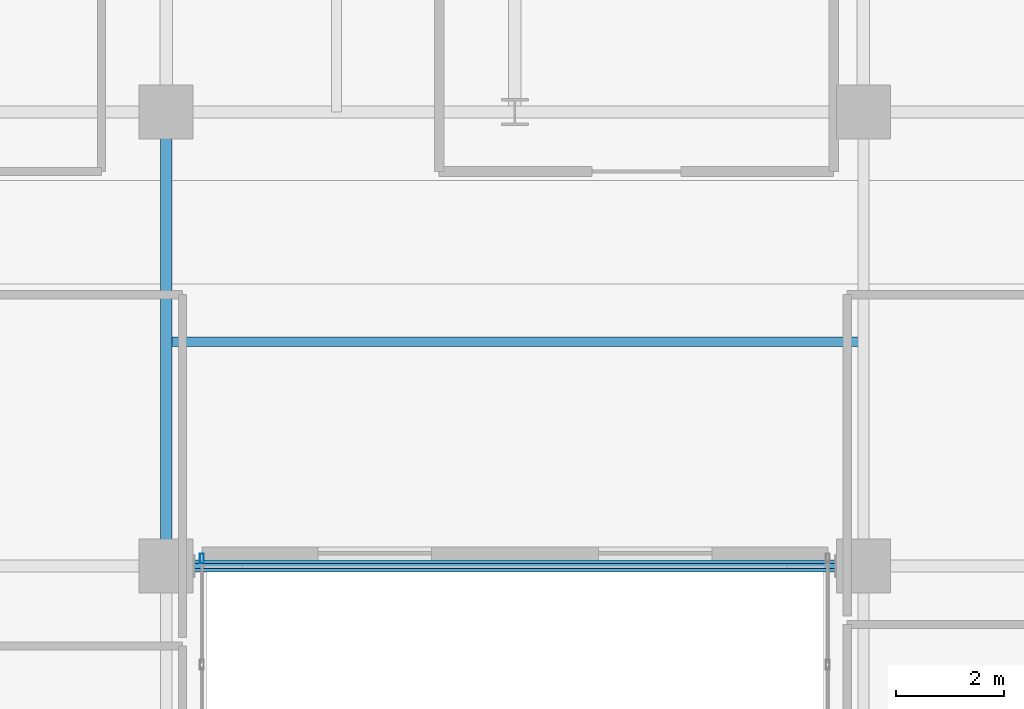
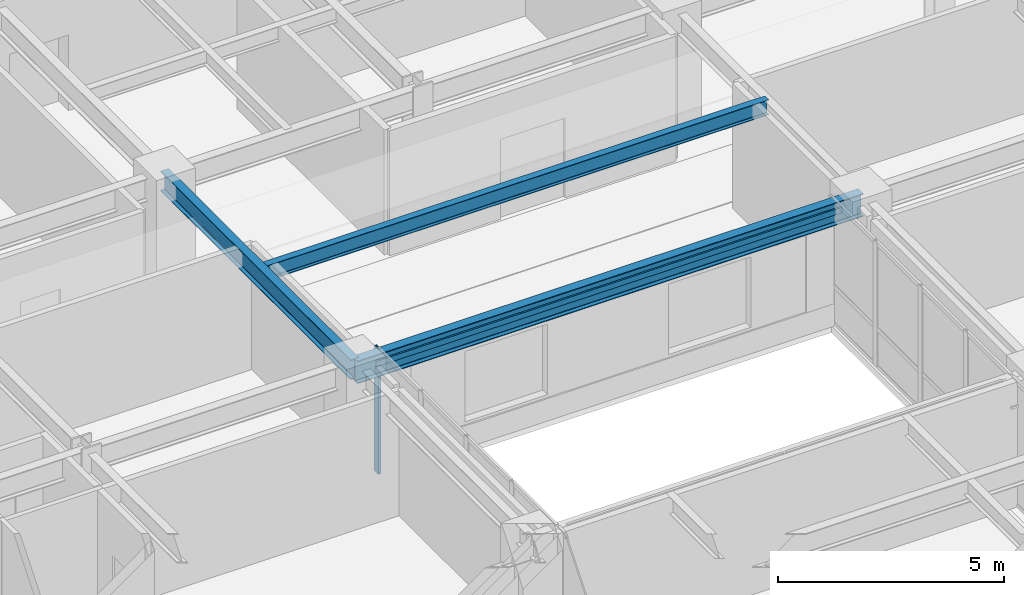
# One storey, part 6 of 31: 3 beams, 2 members, 1 element without a shape of its own.
"""IFC4 building model written with IfcOpenShell, lengths in metres."""

import ifcopenshell
import ifcopenshell.guid

model = None  # the IFC model being written
_history = None  # IfcOwnerHistory: only IFC2X3 demands one
_inside = {}  # id of a spatial element -> (the spatial element, [elements in it])
_under = {}  # id of a project, library or spatial element -> (it, [spatial elements below it])
_declared = {}  # id of a project -> (the project, [libraries it declares])
_typed = {}  # id of a type object -> (the type object, [elements of that type])
_made_of = {}  # id of a material, layer set ... -> (it, [elements and type objects made of it])


def new_model(schema):
    """Start an empty IFC model of exactly this schema.

    Asked for "IFC4X3", IfcOpenShell would pick the latest addendum, in which some entities
    have other attributes; the version numbers below select the first issue.
    IFC2X3 requires an IfcOwnerHistory on every rooted entity: one is made here for all.
    """
    global model, _history
    if schema == "IFC4X3":
        model = ifcopenshell.file(schema_version=(4, 3, 0, 0))
    else:
        model = ifcopenshell.file(schema=schema)
    _inside.clear()
    _under.clear()
    _declared.clear()
    _typed.clear()
    _made_of.clear()
    _history = None
    if model.schema == "IFC2X3":
        org = make("IfcOrganization", Name="unknown")
        user = make(
            "IfcPersonAndOrganization",
            ThePerson=make("IfcPerson", FamilyName="unknown"),
            TheOrganization=org,
        )
        app = make(
            "IfcApplication",
            ApplicationDeveloper=org,
            Version="unknown",
            ApplicationFullName="unknown",
            ApplicationIdentifier="unknown",
        )
        _history = make(
            "IfcOwnerHistory",
            OwningUser=user,
            OwningApplication=app,
            ChangeAction="ADDED",
            CreationDate=0,
        )
    return model


def make(cls, **values):
    """One entity of the class cls with the attributes given. An attribute that is None is left unset."""
    return model.create_entity(
        cls, **{name: value for name, value in values.items() if value is not None}
    )


def rooted(cls, **values):
    """An entity with a GlobalId (a new one), such as an element, a storey or a relation."""
    return make(cls, GlobalId=ifcopenshell.guid.new(), OwnerHistory=_history, **values)


def si_unit(unit_type, name, prefix=None):
    """IfcSIUnit, for example si_unit("LENGTHUNIT", "METRE", prefix="MILLI")."""
    return make("IfcSIUnit", UnitType=unit_type, Prefix=prefix, Name=name)


def assignment(units):
    """IfcUnitAssignment: the units of a project."""
    return None if units is None else make("IfcUnitAssignment", Units=units)


def point(xyz):
    """IfcCartesianPoint."""
    return None if xyz is None else make("IfcCartesianPoint", Coordinates=xyz)


def direction(xyz):
    """IfcDirection."""
    return None if xyz is None else make("IfcDirection", DirectionRatios=xyz)


def frame(location, z_axis=None, x_axis=None):
    """IfcAxis2Placement3D, a coordinate frame: its origin and axes. An axis left out is left unset."""
    return make(
        "IfcAxis2Placement3D",
        Location=point(location),
        Axis=direction(z_axis),
        RefDirection=direction(x_axis),
    )


def frame_2d(location, x_axis=None):
    """IfcAxis2Placement2D, a coordinate frame in the plane: its origin and x axis."""
    return make(
        "IfcAxis2Placement2D", Location=point(location), RefDirection=direction(x_axis)
    )


def origin():
    """The frame at (0, 0, 0) with its axes left unset."""
    return frame((0.0, 0.0, 0.0))


def origin_2d():
    """The frame at (0, 0) in the plane with its x axis left unset."""
    return frame_2d((0.0, 0.0))


def place(relative_to, where):
    """IfcLocalPlacement: puts the frame where relative to a parent placement (None: the world)."""
    return make(
        "IfcLocalPlacement", PlacementRelTo=relative_to, RelativePlacement=where
    )


def context(
    kind, dimensions, precision=None, world=None, true_north=None, identifier=None
):
    """IfcGeometricRepresentationContext, for example the 3D "Model" context."""
    return make(
        "IfcGeometricRepresentationContext",
        ContextIdentifier=identifier,
        ContextType=kind,
        CoordinateSpaceDimension=dimensions,
        Precision=precision,
        WorldCoordinateSystem=world,
        TrueNorth=true_north,
    )


def subcontext(parent, identifier, kind, view, scale=None):
    """IfcGeometricRepresentationSubContext, for example "Body" below "Model"."""
    return make(
        "IfcGeometricRepresentationSubContext",
        ContextIdentifier=identifier,
        ContextType=kind,
        ParentContext=parent,
        TargetScale=scale,
        TargetView=view,
    )


def project(units=None, contexts=None):
    """IfcProject with its units and contexts."""
    return rooted(
        "IfcProject",
        Name="project",
        RepresentationContexts=contexts,
        UnitsInContext=assignment(units),
    )


def spatial(cls, under=None, at=None, **own):
    """A site, building, storey or space (cls), placed at a placement, below another one or the project."""
    s = rooted(cls, ObjectPlacement=at, **own)
    if under is not None:
        _under.setdefault(under.id(), (under, []))[1].append(s)
    return s


def profile(cls, at=None, kind="AREA", **sizes):
    """A parametric profile (cls). Its sizes go by their IFC names, for example OverallWidth=200.0."""
    return make(cls, ProfileType=kind, Position=at, **sizes)


def hollow_rectangle(**sizes):
    """IfcRectangleHollowProfileDef."""
    return profile("IfcRectangleHollowProfileDef", **sizes)


def i_section(**sizes):
    """IfcIShapeProfileDef."""
    return profile("IfcIShapeProfileDef", **sizes)


def extrude(swept, where, along, depth):
    """IfcExtrudedAreaSolid: the profile swept, set in the frame where, extruded along a direction by depth."""
    return make(
        "IfcExtrudedAreaSolid",
        SweptArea=swept,
        Position=where,
        ExtrudedDirection=direction(along),
        Depth=depth,
    )


def shape(context_of_items, identifier, shape_type, items):
    """IfcShapeRepresentation: the items that make up one representation, for example the "Body"."""
    return make(
        "IfcShapeRepresentation",
        ContextOfItems=context_of_items,
        RepresentationIdentifier=identifier,
        RepresentationType=shape_type,
        Items=items,
    )


def source(mapping_origin, context_of_items, identifier, shape_type, items):
    """IfcRepresentationMap: a shape defined once, which mapped items show again and again."""
    return make(
        "IfcRepresentationMap",
        MappingOrigin=mapping_origin,
        MappedRepresentation=shape(context_of_items, identifier, shape_type, items),
    )


def transform(
    local_origin,
    x_axis=None,
    y_axis=None,
    z_axis=None,
    scale=None,
    scale2=None,
    scale3=None,
    uniform=True,
):
    """IfcCartesianTransformationOperator3D, or its non-uniform kind. x_axis, y_axis, z_axis: its Axis1, 2, 3."""
    if uniform:
        return make(
            "IfcCartesianTransformationOperator3D",
            Axis1=direction(x_axis),
            Axis2=direction(y_axis),
            LocalOrigin=point(local_origin),
            Scale=scale,
            Axis3=direction(z_axis),
        )
    return make(
        "IfcCartesianTransformationOperator3DnonUniform",
        Axis1=direction(x_axis),
        Axis2=direction(y_axis),
        LocalOrigin=point(local_origin),
        Scale=scale,
        Axis3=direction(z_axis),
        Scale2=scale2,
        Scale3=scale3,
    )


def mapped(mapping_source, mapping_target):
    """IfcMappedItem: shows the shape of a source again, moved by a transform."""
    return make(
        "IfcMappedItem", MappingSource=mapping_source, MappingTarget=mapping_target
    )


def material(Name=None, Category=None):
    """IfcMaterial."""
    return make("IfcMaterial", Name=Name, Category=Category)


def layer(
    of_material, thickness, ventilated=None, Name=None, Category=None, Priority=None
):
    """IfcMaterialLayer: one layer of a wall or slab, of a material (None: an air gap)."""
    return make(
        "IfcMaterialLayer",
        Material=of_material,
        LayerThickness=thickness,
        IsVentilated=ventilated,
        Name=Name,
        Category=Category,
        Priority=Priority,
    )


def layer_set(layers, Name=None):
    """IfcMaterialLayerSet."""
    return make("IfcMaterialLayerSet", MaterialLayers=layers, LayerSetName=Name)


def material_profile(
    of_material, cross_section, Name=None, Category=None, Priority=None
):
    """IfcMaterialProfile: a cross section and its material."""
    return make(
        "IfcMaterialProfile",
        Name=Name,
        Material=of_material,
        Profile=cross_section,
        Priority=Priority,
        Category=Category,
    )


def profile_set(profiles, Name=None, composite=None):
    """IfcMaterialProfileSet."""
    return make(
        "IfcMaterialProfileSet",
        Name=Name,
        MaterialProfiles=profiles,
        CompositeProfile=composite,
    )


def made_of(thing, what):
    """Note that an element or type object is made of a material, layer set ...; save() writes the relation."""
    if what is not None:
        _made_of.setdefault(what.id(), (what, []))[1].append(thing)
    return thing


def type_object(cls, material=None, **own):
    """A type object (cls), such as IfcWallType, which elements share."""
    return made_of(rooted(cls, **own), material)


def type_shapes(of_type, sources):
    """Give a type object the sources (RepresentationMaps) that its elements show as mapped items."""
    of_type.RepresentationMaps = sources


def element(
    cls,
    number,
    at=None,
    inside=None,
    cuts=None,
    type_object=None,
    material=None,
    context=None,
    identifier="Body",
    shape_type=None,
    held_by="IfcProductDefinitionShape",
    body=None,
    shapes=None,
    **own,
):
    """One element of the class cls, such as IfcWall. Its Tag is "e" and its number.

    at: its placement. inside: the storey or other place that contains it. cuts: it is an
    opening in that element (IfcRelVoidsElement). A single representation is given by context,
    identifier, shape_type and body (its items); several are given by shapes. held_by: the class
    of the entity that holds the representations. save() writes the other relations.
    """
    e = rooted(cls, Tag="e%d" % number, ObjectPlacement=at, **own)
    if body is not None:
        shapes = [shape(context, identifier, shape_type, body)]
    if shapes is not None:
        e.Representation = make(held_by, Representations=shapes)
    if inside is not None:
        _inside.setdefault(inside.id(), (inside, []))[1].append(e)
    if cuts is not None:
        rooted(
            "IfcRelVoidsElement", RelatingBuildingElement=cuts, RelatedOpeningElement=e
        )
    if type_object is not None:
        _typed.setdefault(type_object.id(), (type_object, []))[1].append(e)
    return made_of(e, material)


def aggregate(whole, parts):
    """IfcRelAggregates: a whole, such as a stair, and the parts it consists of."""
    return rooted("IfcRelAggregates", RelatingObject=whole, RelatedObjects=parts)


def save(model, path):
    """Write the relations noted so far, then the file.

    IfcRelAggregates (storeys below a building ...), IfcRelContainedInSpatialStructure (elements
    in a storey), IfcRelDefinesByType, IfcRelAssociatesMaterial and IfcRelDeclares: one each for
    every whole, place, type object, material and project.
    """
    for whole, parts in _under.values():
        aggregate(whole, parts)
    for where, things in _inside.values():
        rooted(
            "IfcRelContainedInSpatialStructure",
            RelatedElements=things,
            RelatingStructure=where,
        )
    for kind, things in _typed.values():
        rooted("IfcRelDefinesByType", RelatedObjects=things, RelatingType=kind)
    for what, things in _made_of.values():
        rooted("IfcRelAssociatesMaterial", RelatedObjects=things, RelatingMaterial=what)
    for by, libraries in _declared.values():
        rooted("IfcRelDeclares", RelatingContext=by, RelatedDefinitions=libraries)
    model.write(path)


model = new_model("IFC4")

# Units and contexts
model_context = context("Model", 3, precision=1e-05, world=origin(), true_north=direction((0.0, 1.0)))
body_context = subcontext(model_context, "Body", "Model", "MODEL_VIEW")
ifc_project = project(units=[si_unit("LENGTHUNIT", "METRE"), si_unit("AREAUNIT", "SQUARE_METRE"), si_unit("VOLUMEUNIT", "CUBIC_METRE"), si_unit("PLANEANGLEUNIT", "RADIAN"), si_unit("MASSUNIT", "GRAM", prefix="KILO")], contexts=[model_context])

# Site, building, storey
site_placement = place(None, origin())
site = spatial("IfcSite", under=ifc_project, at=site_placement, CompositionType="ELEMENT")
building_placement = place(site_placement, origin())
building = spatial("IfcBuilding", under=site, at=building_placement, Name="Tolvann Quenvar Hotel", CompositionType="ELEMENT")
storey_placement = place(building_placement, frame((0.0, 0.0, 74.60009765625)))
storey = spatial("IfcBuildingStorey", under=building, at=storey_placement, Name="L18", CompositionType="ELEMENT", Elevation=74.60009765625)

# Beams
ifc_material_1 = material(Name="Steel Grade 350", Category="steel")
ifc_material_profile_1 = material_profile(ifc_material_1, i_section(OverallWidth=0.22900390625, OverallDepth=0.612060546875, WebThickness=0.011962890625, FlangeThickness=0.01953125, FilletRadius=0.013916015625, at=origin_2d()), Name="610UB125")
ifc_profile_set_1 = profile_set([ifc_material_profile_1], Name="Steel Grade 350")
beam_type_1 = type_object("IfcBeamType", Name="BM_GIRD_610UB125", PredefinedType="BEAM", material=ifc_profile_set_1)
shared_shape_1 = source(origin(), body_context, "Body", "SweptSolid", [
    extrude(i_section(OverallWidth=0.22900390625, OverallDepth=0.612060546875, WebThickness=0.011962890625, FlangeThickness=0.01953125, FilletRadius=0.013916015625, at=origin_2d()), origin(), (0.0, 0.0, 1.0), 12.89990234375),
])
type_shapes(beam_type_1, [shared_shape_1])
beam_1_placement = place(storey_placement, frame((22.050048828125, 16.0, 3.06396484375), z_axis=(1.0, 0.0, 0.0), x_axis=(0.0, 1.0, 0.0)))
element("IfcBeam", 1, at=beam_1_placement, inside=storey, type_object=beam_type_1, Name="BM-L18-EW-4-E4-F4", PredefinedType="BEAM", context=body_context, shape_type="MappedRepresentation", body=[
    mapped(shared_shape_1, transform((0.0, 0.0, 0.0), x_axis=(1.0, 0.0, 0.0), y_axis=(0.0, 1.0, 0.0), z_axis=(0.0, 0.0, 1.0), scale=1.0)),
])
ifc_material_profile_2 = material_profile(ifc_material_1, i_section(OverallWidth=0.208984375, OverallDepth=0.532958984375, WebThickness=0.01025390625, FlangeThickness=0.015625, FilletRadius=0.013916015625, at=origin_2d()), Name="530UB92")
ifc_profile_set_2 = profile_set([ifc_material_profile_2], Name="Steel Grade 350")
beam_type_2 = type_object("IfcBeamType", Name="BM_GIRD_530UB92", PredefinedType="BEAM", material=ifc_profile_set_2)
shared_shape_2 = source(origin(), body_context, "Body", "SweptSolid", [
    extrude(i_section(OverallWidth=0.208984375, OverallDepth=0.532958984375, WebThickness=0.01025390625, FlangeThickness=0.015625, FilletRadius=0.013916015625, at=origin_2d()), origin(), (0.0, 0.0, 1.0), 8.39990234375),
])
type_shapes(beam_type_2, [shared_shape_2])
beam_2_placement = place(storey_placement, frame((22.050048828125, 16.0, 3.103515625), z_axis=(0.0, 1.0, 0.0), x_axis=(-1.0, 0.0, 0.0)))
element("IfcBeam", 2, at=beam_2_placement, inside=storey, type_object=beam_type_2, Name="BM-L18-NS-E4-E5", PredefinedType="BEAM", context=body_context, shape_type="MappedRepresentation", body=[
    mapped(shared_shape_2, transform((0.0, 0.0, 0.0), x_axis=(1.0, 0.0, 0.0), y_axis=(0.0, 1.0, 0.0), z_axis=(0.0, 0.0, 1.0), scale=1.0)),
])
ifc_material_profile_3 = material_profile(ifc_material_1, i_section(OverallWidth=0.177978515625, OverallDepth=0.406005859375, WebThickness=0.0078125, FlangeThickness=0.0126953125, FilletRadius=0.011474609375, at=origin_2d()), Name="410UB60")
ifc_profile_set_3 = profile_set([ifc_material_profile_3], Name="Steel Grade 350")
beam_type_3 = type_object("IfcBeamType", Name="BM_JOIST_410UB60", PredefinedType="JOIST", material=ifc_profile_set_3)
shared_shape_3 = source(origin(), body_context, "Body", "SweptSolid", [
    extrude(i_section(OverallWidth=0.177978515625, OverallDepth=0.406005859375, WebThickness=0.0078125, FlangeThickness=0.0126953125, FilletRadius=0.011474609375, at=origin_2d()), origin(), (0.0, 0.0, 1.0), 12.89990234375),
])
type_shapes(beam_type_3, [shared_shape_3])
beam_3_placement = place(storey_placement, frame((22.050048828125, 20.14990234375, 3.1669921875), z_axis=(1.0, 0.0, 0.0), x_axis=(0.0, 1.0, 0.0)))
element("IfcBeam", 3, at=beam_3_placement, inside=storey, type_object=beam_type_3, Name="BM-L18-SPINE-20", PredefinedType="JOIST", context=body_context, shape_type="MappedRepresentation", body=[
    mapped(shared_shape_3, transform((0.0, 0.0, 0.0), x_axis=(1.0, 0.0, 0.0), y_axis=(0.0, 1.0, 0.0), z_axis=(0.0, 0.0, 1.0), scale=1.0)),
])

# Member
ifc_material_2 = material(Name="Steel Grade 450 (C450L0)", Category="steel")
ifc_material_profile_4 = material_profile(ifc_material_2, hollow_rectangle(XDim=0.10009765625, YDim=0.14990234375, WallThickness=0.006103515625, at=origin_2d()), Name="150x100x6RHS")
ifc_profile_set_4 = profile_set([ifc_material_profile_4], Name="Steel Grade 450 (C450L0)")
member_type_1 = type_object("IfcMemberType", Name="MEM_GIRT_150RHS", PredefinedType="CHORD", material=ifc_profile_set_4)
shared_shape_4 = source(origin(), body_context, "Body", "SweptSolid", [
    extrude(hollow_rectangle(XDim=0.10009765625, YDim=0.14990234375, WallThickness=0.006103515625, at=origin_2d()), origin(), (0.0, 0.0, 1.0), 11.8701171875),
])
type_shapes(member_type_1, [shared_shape_4])
member_1_placement = place(storey_placement, frame((22.56494140625, 16.0, 3.06982421875), z_axis=(1.0, 0.0, 0.0), x_axis=(0.0, 1.0, 0.0)))
element("IfcMember", 4, at=member_1_placement, inside=storey, type_object=member_type_1, Name="Atrium Slot Spandrel Girt (L18)", PredefinedType="CHORD", context=body_context, shape_type="MappedRepresentation", body=[
    mapped(shared_shape_4, transform((0.0, 0.0, 0.0), x_axis=(1.0, 0.0, 0.0), y_axis=(0.0, 1.0, 0.0), z_axis=(0.0, 0.0, 1.0), scale=1.0)),
])

# Curtain wall, member
ifc_material_3 = material(Name="Thermally broken anodised architectural aluminium 6063-T6 and laminated low-E glass", Category="aluminium")
ifc_layer = layer(ifc_material_3, 0.179931640625)
ifc_layer_set = layer_set([ifc_layer], Name="Thermally broken anodised architectural aluminium 6063-T6 and laminated low-E glass")
curtain_wall_type = type_object("IfcCurtainWallType", Name="CW_SYS_SLOT_03", PredefinedType="USERDEFINED", material=ifc_layer_set)
curtain_wall_placement = place(storey_placement, origin())
curtain_wall = element("IfcCurtainWall", 5, at=curtain_wall_placement, inside=storey, type_object=curtain_wall_type, Name="Curtain Wall CW-SLOT-03 (CWR-L18-E05)", ObjectType="UNITISED CURTAIN WALL", PredefinedType="USERDEFINED")
ifc_material_4 = material(Name="Anodised architectural aluminium 6063-T6 framing", Category="aluminium")
ifc_material_profile_5 = material_profile(ifc_material_4, hollow_rectangle(XDim=0.070068359375, YDim=0.179931640625, WallThickness=0.00390625, at=origin_2d()), Name="180x70x4RHS")
ifc_profile_set_5 = profile_set([ifc_material_profile_5], Name="Anodised architectural aluminium 6063-T6 framing")
member_type_2 = type_object("IfcMemberType", Name="CW_MULL_180x70", PredefinedType="MULLION", material=ifc_profile_set_5)
shared_shape_5 = source(origin(), body_context, "Body", "SweptSolid", [
    extrude(hollow_rectangle(XDim=0.070068359375, YDim=0.179931640625, WallThickness=0.00390625, at=origin_2d()), origin(), (0.0, 0.0, 1.0), 3.369873046875),
])
type_shapes(member_type_2, [shared_shape_5])
member_2_placement = place(storey_placement, frame((22.7099609375, 16.139892578125, 0.0), z_axis=(0.0, 0.0, 1.0), x_axis=(-1.0, 0.0, 0.0)))
member_2 = element("IfcMember", 6, at=member_2_placement, type_object=member_type_2, Name="CW-SLOT-03 mullion 9", PredefinedType="MULLION", context=body_context, shape_type="MappedRepresentation", body=[
    mapped(shared_shape_5, transform((0.0, 0.0, 0.0), x_axis=(1.0, 0.0, 0.0), y_axis=(0.0, 1.0, 0.0), z_axis=(0.0, 0.0, 1.0), scale=1.0)),
])
aggregate(curtain_wall, [member_2])

save(model, "model.ifc")
